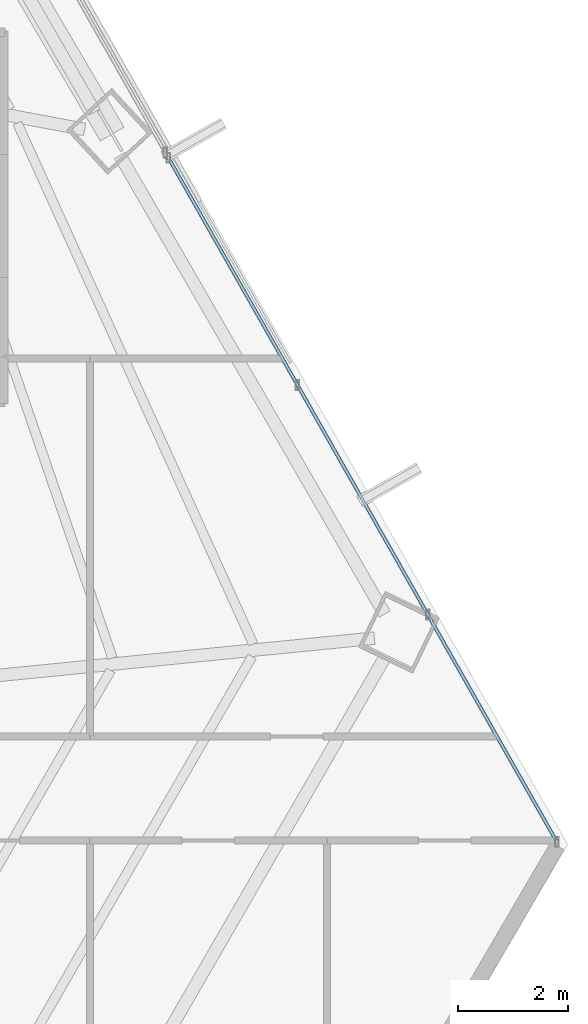
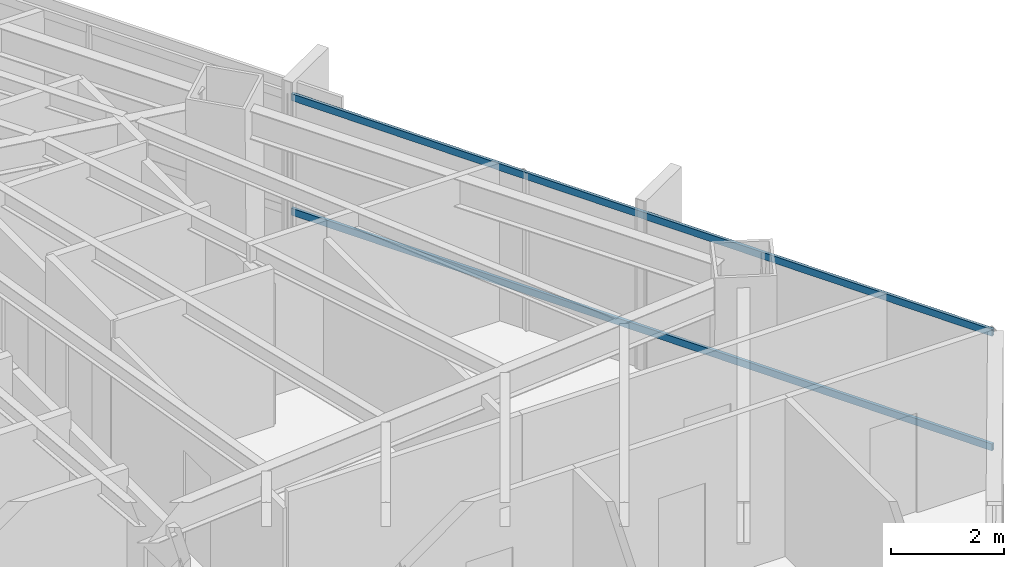
# One storey, part 24 of 37: 2 members, 1 element without a shape of its own.
"""IFC4 building model written with IfcOpenShell, lengths in metres."""

import ifcopenshell
import ifcopenshell.guid

model = None  # the IFC model being written
_history = None  # IfcOwnerHistory: only IFC2X3 demands one
_inside = {}  # id of a spatial element -> (the spatial element, [elements in it])
_under = {}  # id of a project, library or spatial element -> (it, [spatial elements below it])
_declared = {}  # id of a project -> (the project, [libraries it declares])
_typed = {}  # id of a type object -> (the type object, [elements of that type])
_made_of = {}  # id of a material, layer set ... -> (it, [elements and type objects made of it])


def new_model(schema):
    """Start an empty IFC model of exactly this schema.

    Asked for "IFC4X3", IfcOpenShell would pick the latest addendum, in which some entities
    have other attributes; the version numbers below select the first issue.
    IFC2X3 requires an IfcOwnerHistory on every rooted entity: one is made here for all.
    """
    global model, _history
    if schema == "IFC4X3":
        model = ifcopenshell.file(schema_version=(4, 3, 0, 0))
    else:
        model = ifcopenshell.file(schema=schema)
    _inside.clear()
    _under.clear()
    _declared.clear()
    _typed.clear()
    _made_of.clear()
    _history = None
    if model.schema == "IFC2X3":
        org = make("IfcOrganization", Name="unknown")
        user = make(
            "IfcPersonAndOrganization",
            ThePerson=make("IfcPerson", FamilyName="unknown"),
            TheOrganization=org,
        )
        app = make(
            "IfcApplication",
            ApplicationDeveloper=org,
            Version="unknown",
            ApplicationFullName="unknown",
            ApplicationIdentifier="unknown",
        )
        _history = make(
            "IfcOwnerHistory",
            OwningUser=user,
            OwningApplication=app,
            ChangeAction="ADDED",
            CreationDate=0,
        )
    return model


def make(cls, **values):
    """One entity of the class cls with the attributes given. An attribute that is None is left unset."""
    return model.create_entity(
        cls, **{name: value for name, value in values.items() if value is not None}
    )


def rooted(cls, **values):
    """An entity with a GlobalId (a new one), such as an element, a storey or a relation."""
    return make(cls, GlobalId=ifcopenshell.guid.new(), OwnerHistory=_history, **values)


def si_unit(unit_type, name, prefix=None):
    """IfcSIUnit, for example si_unit("LENGTHUNIT", "METRE", prefix="MILLI")."""
    return make("IfcSIUnit", UnitType=unit_type, Prefix=prefix, Name=name)


def assignment(units):
    """IfcUnitAssignment: the units of a project."""
    return None if units is None else make("IfcUnitAssignment", Units=units)


def point(xyz):
    """IfcCartesianPoint."""
    return None if xyz is None else make("IfcCartesianPoint", Coordinates=xyz)


def direction(xyz):
    """IfcDirection."""
    return None if xyz is None else make("IfcDirection", DirectionRatios=xyz)


def frame(location, z_axis=None, x_axis=None):
    """IfcAxis2Placement3D, a coordinate frame: its origin and axes. An axis left out is left unset."""
    return make(
        "IfcAxis2Placement3D",
        Location=point(location),
        Axis=direction(z_axis),
        RefDirection=direction(x_axis),
    )


def frame_2d(location, x_axis=None):
    """IfcAxis2Placement2D, a coordinate frame in the plane: its origin and x axis."""
    return make(
        "IfcAxis2Placement2D", Location=point(location), RefDirection=direction(x_axis)
    )


def origin():
    """The frame at (0, 0, 0) with its axes left unset."""
    return frame((0.0, 0.0, 0.0))


def origin_2d():
    """The frame at (0, 0) in the plane with its x axis left unset."""
    return frame_2d((0.0, 0.0))


def place(relative_to, where):
    """IfcLocalPlacement: puts the frame where relative to a parent placement (None: the world)."""
    return make(
        "IfcLocalPlacement", PlacementRelTo=relative_to, RelativePlacement=where
    )


def context(
    kind, dimensions, precision=None, world=None, true_north=None, identifier=None
):
    """IfcGeometricRepresentationContext, for example the 3D "Model" context."""
    return make(
        "IfcGeometricRepresentationContext",
        ContextIdentifier=identifier,
        ContextType=kind,
        CoordinateSpaceDimension=dimensions,
        Precision=precision,
        WorldCoordinateSystem=world,
        TrueNorth=true_north,
    )


def subcontext(parent, identifier, kind, view, scale=None):
    """IfcGeometricRepresentationSubContext, for example "Body" below "Model"."""
    return make(
        "IfcGeometricRepresentationSubContext",
        ContextIdentifier=identifier,
        ContextType=kind,
        ParentContext=parent,
        TargetScale=scale,
        TargetView=view,
    )


def project(units=None, contexts=None):
    """IfcProject with its units and contexts."""
    return rooted(
        "IfcProject",
        Name="project",
        RepresentationContexts=contexts,
        UnitsInContext=assignment(units),
    )


def spatial(cls, under=None, at=None, **own):
    """A site, building, storey or space (cls), placed at a placement, below another one or the project."""
    s = rooted(cls, ObjectPlacement=at, **own)
    if under is not None:
        _under.setdefault(under.id(), (under, []))[1].append(s)
    return s


def profile(cls, at=None, kind="AREA", **sizes):
    """A parametric profile (cls). Its sizes go by their IFC names, for example OverallWidth=200.0."""
    return make(cls, ProfileType=kind, Position=at, **sizes)


def hollow_rectangle(**sizes):
    """IfcRectangleHollowProfileDef."""
    return profile("IfcRectangleHollowProfileDef", **sizes)


def extrude(swept, where, along, depth):
    """IfcExtrudedAreaSolid: the profile swept, set in the frame where, extruded along a direction by depth."""
    return make(
        "IfcExtrudedAreaSolid",
        SweptArea=swept,
        Position=where,
        ExtrudedDirection=direction(along),
        Depth=depth,
    )


def shape(context_of_items, identifier, shape_type, items):
    """IfcShapeRepresentation: the items that make up one representation, for example the "Body"."""
    return make(
        "IfcShapeRepresentation",
        ContextOfItems=context_of_items,
        RepresentationIdentifier=identifier,
        RepresentationType=shape_type,
        Items=items,
    )


def source(mapping_origin, context_of_items, identifier, shape_type, items):
    """IfcRepresentationMap: a shape defined once, which mapped items show again and again."""
    return make(
        "IfcRepresentationMap",
        MappingOrigin=mapping_origin,
        MappedRepresentation=shape(context_of_items, identifier, shape_type, items),
    )


def transform(
    local_origin,
    x_axis=None,
    y_axis=None,
    z_axis=None,
    scale=None,
    scale2=None,
    scale3=None,
    uniform=True,
):
    """IfcCartesianTransformationOperator3D, or its non-uniform kind. x_axis, y_axis, z_axis: its Axis1, 2, 3."""
    if uniform:
        return make(
            "IfcCartesianTransformationOperator3D",
            Axis1=direction(x_axis),
            Axis2=direction(y_axis),
            LocalOrigin=point(local_origin),
            Scale=scale,
            Axis3=direction(z_axis),
        )
    return make(
        "IfcCartesianTransformationOperator3DnonUniform",
        Axis1=direction(x_axis),
        Axis2=direction(y_axis),
        LocalOrigin=point(local_origin),
        Scale=scale,
        Axis3=direction(z_axis),
        Scale2=scale2,
        Scale3=scale3,
    )


def mapped(mapping_source, mapping_target):
    """IfcMappedItem: shows the shape of a source again, moved by a transform."""
    return make(
        "IfcMappedItem", MappingSource=mapping_source, MappingTarget=mapping_target
    )


def material(Name=None, Category=None):
    """IfcMaterial."""
    return make("IfcMaterial", Name=Name, Category=Category)


def material_profile(
    of_material, cross_section, Name=None, Category=None, Priority=None
):
    """IfcMaterialProfile: a cross section and its material."""
    return make(
        "IfcMaterialProfile",
        Name=Name,
        Material=of_material,
        Profile=cross_section,
        Priority=Priority,
        Category=Category,
    )


def profile_set(profiles, Name=None, composite=None):
    """IfcMaterialProfileSet."""
    return make(
        "IfcMaterialProfileSet",
        Name=Name,
        MaterialProfiles=profiles,
        CompositeProfile=composite,
    )


def made_of(thing, what):
    """Note that an element or type object is made of a material, layer set ...; save() writes the relation."""
    if what is not None:
        _made_of.setdefault(what.id(), (what, []))[1].append(thing)
    return thing


def type_object(cls, material=None, **own):
    """A type object (cls), such as IfcWallType, which elements share."""
    return made_of(rooted(cls, **own), material)


def type_shapes(of_type, sources):
    """Give a type object the sources (RepresentationMaps) that its elements show as mapped items."""
    of_type.RepresentationMaps = sources


def element(
    cls,
    number,
    at=None,
    inside=None,
    cuts=None,
    type_object=None,
    material=None,
    context=None,
    identifier="Body",
    shape_type=None,
    held_by="IfcProductDefinitionShape",
    body=None,
    shapes=None,
    **own,
):
    """One element of the class cls, such as IfcWall. Its Tag is "e" and its number.

    at: its placement. inside: the storey or other place that contains it. cuts: it is an
    opening in that element (IfcRelVoidsElement). A single representation is given by context,
    identifier, shape_type and body (its items); several are given by shapes. held_by: the class
    of the entity that holds the representations. save() writes the other relations.
    """
    e = rooted(cls, Tag="e%d" % number, ObjectPlacement=at, **own)
    if body is not None:
        shapes = [shape(context, identifier, shape_type, body)]
    if shapes is not None:
        e.Representation = make(held_by, Representations=shapes)
    if inside is not None:
        _inside.setdefault(inside.id(), (inside, []))[1].append(e)
    if cuts is not None:
        rooted(
            "IfcRelVoidsElement", RelatingBuildingElement=cuts, RelatedOpeningElement=e
        )
    if type_object is not None:
        _typed.setdefault(type_object.id(), (type_object, []))[1].append(e)
    return made_of(e, material)


def aggregate(whole, parts):
    """IfcRelAggregates: a whole, such as a stair, and the parts it consists of."""
    return rooted("IfcRelAggregates", RelatingObject=whole, RelatedObjects=parts)


def save(model, path):
    """Write the relations noted so far, then the file.

    IfcRelAggregates (storeys below a building ...), IfcRelContainedInSpatialStructure (elements
    in a storey), IfcRelDefinesByType, IfcRelAssociatesMaterial and IfcRelDeclares: one each for
    every whole, place, type object, material and project.
    """
    for whole, parts in _under.values():
        aggregate(whole, parts)
    for where, things in _inside.values():
        rooted(
            "IfcRelContainedInSpatialStructure",
            RelatedElements=things,
            RelatingStructure=where,
        )
    for kind, things in _typed.values():
        rooted("IfcRelDefinesByType", RelatedObjects=things, RelatingType=kind)
    for what, things in _made_of.values():
        rooted("IfcRelAssociatesMaterial", RelatedObjects=things, RelatingMaterial=what)
    for by, libraries in _declared.values():
        rooted("IfcRelDeclares", RelatingContext=by, RelatedDefinitions=libraries)
    model.write(path)


model = new_model("IFC4")

# Units and contexts
model_context = context("Model", 3, precision=1e-05, world=origin(), true_north=direction((0.0, 1.0)))
body_context = subcontext(model_context, "Body", "Model", "MODEL_VIEW")
ifc_project = project(units=[si_unit("LENGTHUNIT", "METRE"), si_unit("AREAUNIT", "SQUARE_METRE"), si_unit("VOLUMEUNIT", "CUBIC_METRE"), si_unit("PLANEANGLEUNIT", "RADIAN"), si_unit("MASSUNIT", "GRAM", prefix="KILO")], contexts=[model_context])

# Site, building, storey
site_placement = place(None, origin())
site = spatial("IfcSite", under=ifc_project, at=site_placement, CompositionType="ELEMENT")
building_placement = place(site_placement, origin())
building = spatial("IfcBuilding", under=site, at=building_placement, Name="Caelisora Broadcast Tower", CompositionType="ELEMENT")
storey_placement = place(building_placement, frame((0.0, 0.0, 116.35009765625)))
storey = spatial("IfcBuildingStorey", under=building, at=storey_placement, Name="L30", CompositionType="ELEMENT", Elevation=116.35009765625)

# Curtain wall, members
ifc_material_1 = material(Name="Unitised Aluminium and Low-E Glass Curtain Wall", Category="glass")
curtain_wall_type = type_object("IfcCurtainWallType", Name="CW-Z2", PredefinedType="NOTDEFINED", material=ifc_material_1)
curtain_wall_placement = place(storey_placement, origin())
curtain_wall = element("IfcCurtainWall", 1, at=curtain_wall_placement, inside=storey, type_object=curtain_wall_type, Name="L30 curtain wall CW-Z2", PredefinedType="NOTDEFINED")
ifc_material_2 = material(Name="Aluminium 6063-T6 Anodised Terracotta Bronze", Category="aluminium")
ifc_material_profile = material_profile(ifc_material_2, hollow_rectangle(XDim=0.06005859375, YDim=0.14990234375, WallThickness=0.00341796875, at=origin_2d()), Name="Aluminium 6063-T6 Anodised Terracotta Bronze")
ifc_profile_set = profile_set([ifc_material_profile], Name="Aluminium 6063-T6 Anodised Terracotta Bronze")
member_type = type_object("IfcMemberType", Name="CWT-02", PredefinedType="USERDEFINED", material=ifc_profile_set)
shared_shape = source(origin(), body_context, "Body", "SweptSolid", [
    extrude(hollow_rectangle(XDim=0.06005859375, YDim=0.14990234375, WallThickness=0.00341796875, at=origin_2d()), origin(), (0.0, 0.0, 1.0), 14.357177734375),
])
type_shapes(member_type, [shared_shape])
member_1_placement = place(storey_placement, frame((56.806640625, 27.65771484375, 0.849853515625), z_axis=(0.49373621646, -0.869611722871, 0.0), x_axis=(0.869611722871, 0.49373621646, 0.0)))
member_1 = element("IfcMember", 2, at=member_1_placement, type_object=member_type, Name="L30-CW-B03 transom #1", ObjectType="TRANSOM", PredefinedType="USERDEFINED", context=body_context, shape_type="MappedRepresentation", body=[
    mapped(shared_shape, transform((0.0, 0.0, 0.0), scale=1.0)),
])
member_2_placement = place(storey_placement, frame((56.806640625, 27.65771484375, 3.31982421875), z_axis=(0.49373621646, -0.869611722871, 0.0), x_axis=(0.869611722871, 0.49373621646, 0.0)))
member_2 = element("IfcMember", 3, at=member_2_placement, type_object=member_type, Name="L30-CW-B03 transom #2", ObjectType="TRANSOM", PredefinedType="USERDEFINED", context=body_context, shape_type="MappedRepresentation", body=[
    mapped(shared_shape, transform((0.0, 0.0, 0.0), scale=1.0)),
])
aggregate(curtain_wall, [member_1, member_2])

save(model, "model.ifc")
